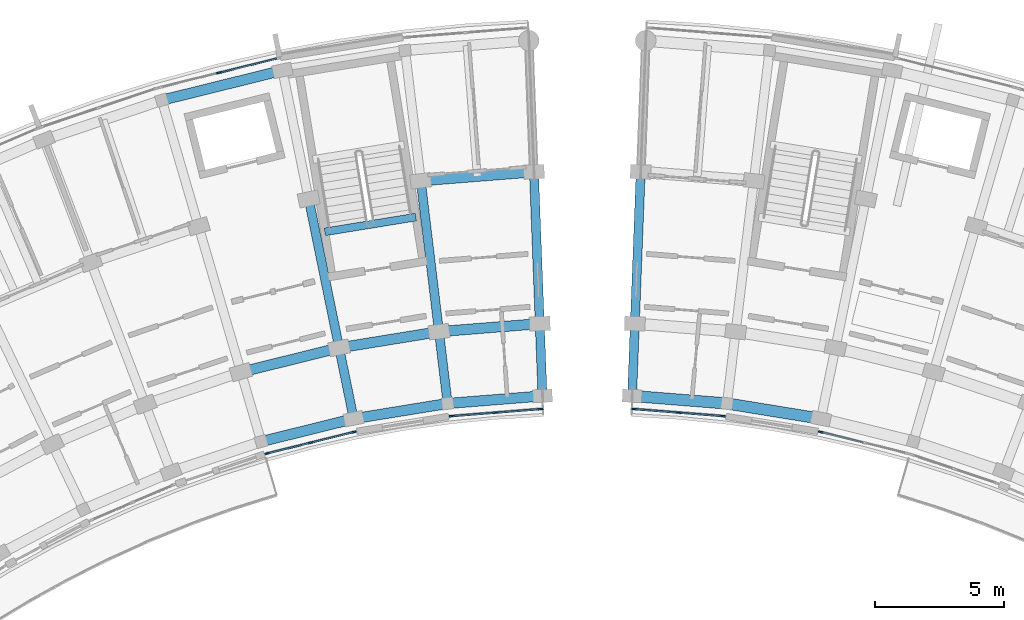
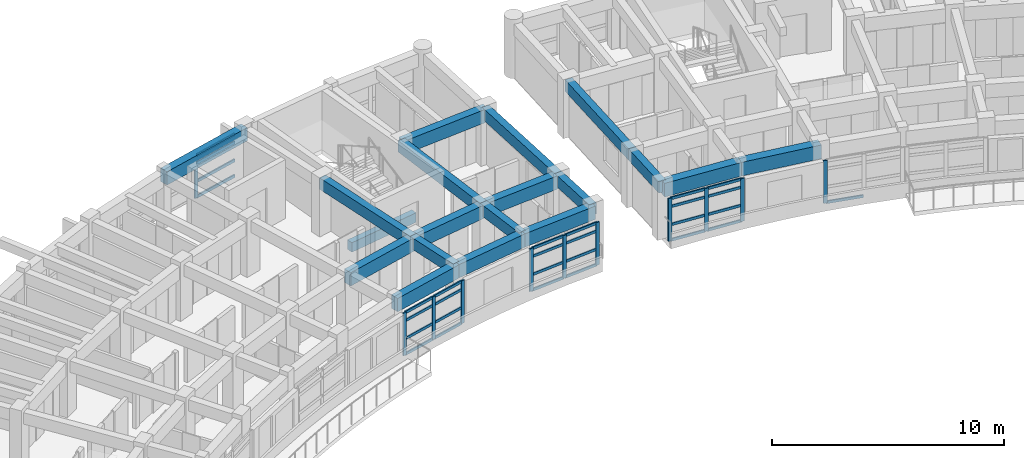
# One storey, part 6 of 56: 40 members, 19 beams, 5 elements without a shape of their own.
"""IFC4 building model written with IfcOpenShell, lengths in metres."""

import ifcopenshell
import ifcopenshell.guid

model = None  # the IFC model being written
_history = None  # IfcOwnerHistory: only IFC2X3 demands one
_inside = {}  # id of a spatial element -> (the spatial element, [elements in it])
_under = {}  # id of a project, library or spatial element -> (it, [spatial elements below it])
_declared = {}  # id of a project -> (the project, [libraries it declares])
_typed = {}  # id of a type object -> (the type object, [elements of that type])
_made_of = {}  # id of a material, layer set ... -> (it, [elements and type objects made of it])


def new_model(schema):
    """Start an empty IFC model of exactly this schema.

    Asked for "IFC4X3", IfcOpenShell would pick the latest addendum, in which some entities
    have other attributes; the version numbers below select the first issue.
    IFC2X3 requires an IfcOwnerHistory on every rooted entity: one is made here for all.
    """
    global model, _history
    if schema == "IFC4X3":
        model = ifcopenshell.file(schema_version=(4, 3, 0, 0))
    else:
        model = ifcopenshell.file(schema=schema)
    _inside.clear()
    _under.clear()
    _declared.clear()
    _typed.clear()
    _made_of.clear()
    _history = None
    if model.schema == "IFC2X3":
        org = make("IfcOrganization", Name="unknown")
        user = make(
            "IfcPersonAndOrganization",
            ThePerson=make("IfcPerson", FamilyName="unknown"),
            TheOrganization=org,
        )
        app = make(
            "IfcApplication",
            ApplicationDeveloper=org,
            Version="unknown",
            ApplicationFullName="unknown",
            ApplicationIdentifier="unknown",
        )
        _history = make(
            "IfcOwnerHistory",
            OwningUser=user,
            OwningApplication=app,
            ChangeAction="ADDED",
            CreationDate=0,
        )
    return model


def make(cls, **values):
    """One entity of the class cls with the attributes given. An attribute that is None is left unset."""
    return model.create_entity(
        cls, **{name: value for name, value in values.items() if value is not None}
    )


def rooted(cls, **values):
    """An entity with a GlobalId (a new one), such as an element, a storey or a relation."""
    return make(cls, GlobalId=ifcopenshell.guid.new(), OwnerHistory=_history, **values)


def si_unit(unit_type, name, prefix=None):
    """IfcSIUnit, for example si_unit("LENGTHUNIT", "METRE", prefix="MILLI")."""
    return make("IfcSIUnit", UnitType=unit_type, Prefix=prefix, Name=name)


def assignment(units):
    """IfcUnitAssignment: the units of a project."""
    return None if units is None else make("IfcUnitAssignment", Units=units)


def point(xyz):
    """IfcCartesianPoint."""
    return None if xyz is None else make("IfcCartesianPoint", Coordinates=xyz)


def direction(xyz):
    """IfcDirection."""
    return None if xyz is None else make("IfcDirection", DirectionRatios=xyz)


def frame(location, z_axis=None, x_axis=None):
    """IfcAxis2Placement3D, a coordinate frame: its origin and axes. An axis left out is left unset."""
    return make(
        "IfcAxis2Placement3D",
        Location=point(location),
        Axis=direction(z_axis),
        RefDirection=direction(x_axis),
    )


def frame_2d(location, x_axis=None):
    """IfcAxis2Placement2D, a coordinate frame in the plane: its origin and x axis."""
    return make(
        "IfcAxis2Placement2D", Location=point(location), RefDirection=direction(x_axis)
    )


def origin():
    """The frame at (0, 0, 0) with its axes left unset."""
    return frame((0.0, 0.0, 0.0))


def origin_2d():
    """The frame at (0, 0) in the plane with its x axis left unset."""
    return frame_2d((0.0, 0.0))


def place(relative_to, where):
    """IfcLocalPlacement: puts the frame where relative to a parent placement (None: the world)."""
    return make(
        "IfcLocalPlacement", PlacementRelTo=relative_to, RelativePlacement=where
    )


def context(
    kind, dimensions, precision=None, world=None, true_north=None, identifier=None
):
    """IfcGeometricRepresentationContext, for example the 3D "Model" context."""
    return make(
        "IfcGeometricRepresentationContext",
        ContextIdentifier=identifier,
        ContextType=kind,
        CoordinateSpaceDimension=dimensions,
        Precision=precision,
        WorldCoordinateSystem=world,
        TrueNorth=true_north,
    )


def subcontext(parent, identifier, kind, view, scale=None):
    """IfcGeometricRepresentationSubContext, for example "Body" below "Model"."""
    return make(
        "IfcGeometricRepresentationSubContext",
        ContextIdentifier=identifier,
        ContextType=kind,
        ParentContext=parent,
        TargetScale=scale,
        TargetView=view,
    )


def project(units=None, contexts=None):
    """IfcProject with its units and contexts."""
    return rooted(
        "IfcProject",
        Name="project",
        RepresentationContexts=contexts,
        UnitsInContext=assignment(units),
    )


def spatial(cls, under=None, at=None, **own):
    """A site, building, storey or space (cls), placed at a placement, below another one or the project."""
    s = rooted(cls, ObjectPlacement=at, **own)
    if under is not None:
        _under.setdefault(under.id(), (under, []))[1].append(s)
    return s


def profile(cls, at=None, kind="AREA", **sizes):
    """A parametric profile (cls). Its sizes go by their IFC names, for example OverallWidth=200.0."""
    return make(cls, ProfileType=kind, Position=at, **sizes)


def rectangle(**sizes):
    """IfcRectangleProfileDef."""
    return profile("IfcRectangleProfileDef", **sizes)


def extrude(swept, where, along, depth):
    """IfcExtrudedAreaSolid: the profile swept, set in the frame where, extruded along a direction by depth."""
    return make(
        "IfcExtrudedAreaSolid",
        SweptArea=swept,
        Position=where,
        ExtrudedDirection=direction(along),
        Depth=depth,
    )


def shape(context_of_items, identifier, shape_type, items):
    """IfcShapeRepresentation: the items that make up one representation, for example the "Body"."""
    return make(
        "IfcShapeRepresentation",
        ContextOfItems=context_of_items,
        RepresentationIdentifier=identifier,
        RepresentationType=shape_type,
        Items=items,
    )


def material(Name=None, Category=None):
    """IfcMaterial."""
    return make("IfcMaterial", Name=Name, Category=Category)


def material_profile(
    of_material, cross_section, Name=None, Category=None, Priority=None
):
    """IfcMaterialProfile: a cross section and its material."""
    return make(
        "IfcMaterialProfile",
        Name=Name,
        Material=of_material,
        Profile=cross_section,
        Priority=Priority,
        Category=Category,
    )


def profile_set(profiles, Name=None, composite=None):
    """IfcMaterialProfileSet."""
    return make(
        "IfcMaterialProfileSet",
        Name=Name,
        MaterialProfiles=profiles,
        CompositeProfile=composite,
    )


def made_of(thing, what):
    """Note that an element or type object is made of a material, layer set ...; save() writes the relation."""
    if what is not None:
        _made_of.setdefault(what.id(), (what, []))[1].append(thing)
    return thing


def type_object(cls, material=None, **own):
    """A type object (cls), such as IfcWallType, which elements share."""
    return made_of(rooted(cls, **own), material)


def element(
    cls,
    number,
    at=None,
    inside=None,
    cuts=None,
    type_object=None,
    material=None,
    context=None,
    identifier="Body",
    shape_type=None,
    held_by="IfcProductDefinitionShape",
    body=None,
    shapes=None,
    **own,
):
    """One element of the class cls, such as IfcWall. Its Tag is "e" and its number.

    at: its placement. inside: the storey or other place that contains it. cuts: it is an
    opening in that element (IfcRelVoidsElement). A single representation is given by context,
    identifier, shape_type and body (its items); several are given by shapes. held_by: the class
    of the entity that holds the representations. save() writes the other relations.
    """
    e = rooted(cls, Tag="e%d" % number, ObjectPlacement=at, **own)
    if body is not None:
        shapes = [shape(context, identifier, shape_type, body)]
    if shapes is not None:
        e.Representation = make(held_by, Representations=shapes)
    if inside is not None:
        _inside.setdefault(inside.id(), (inside, []))[1].append(e)
    if cuts is not None:
        rooted(
            "IfcRelVoidsElement", RelatingBuildingElement=cuts, RelatedOpeningElement=e
        )
    if type_object is not None:
        _typed.setdefault(type_object.id(), (type_object, []))[1].append(e)
    return made_of(e, material)


def aggregate(whole, parts):
    """IfcRelAggregates: a whole, such as a stair, and the parts it consists of."""
    return rooted("IfcRelAggregates", RelatingObject=whole, RelatedObjects=parts)


def save(model, path):
    """Write the relations noted so far, then the file.

    IfcRelAggregates (storeys below a building ...), IfcRelContainedInSpatialStructure (elements
    in a storey), IfcRelDefinesByType, IfcRelAssociatesMaterial and IfcRelDeclares: one each for
    every whole, place, type object, material and project.
    """
    for whole, parts in _under.values():
        aggregate(whole, parts)
    for where, things in _inside.values():
        rooted(
            "IfcRelContainedInSpatialStructure",
            RelatedElements=things,
            RelatingStructure=where,
        )
    for kind, things in _typed.values():
        rooted("IfcRelDefinesByType", RelatedObjects=things, RelatingType=kind)
    for what, things in _made_of.values():
        rooted("IfcRelAssociatesMaterial", RelatedObjects=things, RelatingMaterial=what)
    for by, libraries in _declared.values():
        rooted("IfcRelDeclares", RelatingContext=by, RelatedDefinitions=libraries)
    model.write(path)


model = new_model("IFC4")

# Units and contexts
model_context = context("Model", 3, precision=1e-05, world=origin(), true_north=direction((0.0, 1.0)))
body_context = subcontext(model_context, "Body", "Model", "MODEL_VIEW")
ifc_project = project(units=[si_unit("LENGTHUNIT", "METRE"), si_unit("AREAUNIT", "SQUARE_METRE"), si_unit("VOLUMEUNIT", "CUBIC_METRE"), si_unit("PLANEANGLEUNIT", "RADIAN"), si_unit("MASSUNIT", "GRAM", prefix="KILO")], contexts=[model_context])

# Site, building, storey
site_placement = place(None, origin())
site = spatial("IfcSite", under=ifc_project, at=site_placement, CompositionType="ELEMENT")
building_placement = place(site_placement, origin())
building = spatial("IfcBuilding", under=site, at=building_placement, Name="Zimvara Arc Housing Community", CompositionType="ELEMENT")
storey_placement = place(building_placement, frame((0.0, 0.0, 17.39990234375)))
storey = spatial("IfcBuildingStorey", under=building, at=storey_placement, Name="L05", CompositionType="ELEMENT", Elevation=17.39990234375)

# Beams
ifc_material_1 = material(Name="Concrete C40/50", Category="concrete")
ifc_material_profile_1 = material_profile(ifc_material_1, rectangle(XDim=0.300048828125, YDim=0.5, at=origin_2d()), Name="RC 300x500")
ifc_profile_set_1 = profile_set([ifc_material_profile_1], Name="Concrete C40/50")
beam_type_1 = type_object("IfcBeamType", Name="BM-RC-300x500", PredefinedType="BEAM", material=ifc_profile_set_1)
beam_1_placement = place(storey_placement, frame((38.3662109375, 96.509033203125, -0.25), z_axis=(-0.987080057935, -0.160227835371, 0.0), x_axis=(0.160227835371, -0.987080057935, 0.0)))
element("IfcBeam", 1, at=beam_1_placement, inside=storey, type_object=beam_type_1, Name="bm:stair_trim:ST-A2:L05:near", PredefinedType="BEAM", context=body_context, shape_type="SweptSolid", body=[
    extrude(rectangle(XDim=0.300048828125, YDim=0.5, at=origin_2d()), origin(), (0.0, 0.0, 1.0), 3.570068359375),
])
ifc_material_2 = material(Name="Concrete C40/50", Category="concrete")
ifc_material_profile_2 = material_profile(ifc_material_2, rectangle(XDim=0.35009765625, YDim=0.60009765625, at=origin_2d()), Name="RC 350x600")
ifc_profile_set_2 = profile_set([ifc_material_profile_2], Name="Concrete C40/50")
beam_type_2 = type_object("IfcBeamType", Name="BM-RC-350x600", PredefinedType="BEAM", material=ifc_profile_set_2)
beam_2_placement = place(storey_placement, frame((35.958251953125, 88.704833984375, 2.570068359375), z_axis=(-0.20037341071, 0.979719600845, 0.0), x_axis=(-0.979719600845, -0.20037341071, 0.0)))
element("IfcBeam", 2, at=beam_2_placement, inside=storey, type_object=beam_type_2, Name="bm:blkA:L05:rad:b8:r01", PredefinedType="BEAM", context=body_context, shape_type="SweptSolid", body=[
    extrude(rectangle(XDim=0.35009765625, YDim=0.60009765625, at=origin_2d()), origin(), (0.0, 0.0, 1.0), 2.800048828125),
])
beam_3_placement = place(storey_placement, frame((35.397216796875, 91.447998046875, 2.570068359375), z_axis=(-0.200417973989, 0.979710485655, 0.0), x_axis=(-0.979710485655, -0.200417973989, 0.0)))
element("IfcBeam", 3, at=beam_3_placement, inside=storey, type_object=beam_type_2, Name="bm:blkA:L05:rad:b8:r12", PredefinedType="BEAM", context=body_context, shape_type="SweptSolid", body=[
    extrude(rectangle(XDim=0.35009765625, YDim=0.60009765625, at=origin_2d()), origin(), (0.0, 0.0, 1.0), 5.880126953125),
])
beam_4_placement = place(storey_placement, frame((39.594970703125, 89.295166015625, 2.570068359375), z_axis=(-0.119719398078, 0.992807768767, 0.0), x_axis=(-0.992807768767, -0.119719398078, 0.0)))
element("IfcBeam", 4, at=beam_4_placement, inside=storey, type_object=beam_type_2, Name="bm:blkA:L05:rad:b9:r01", PredefinedType="BEAM", context=body_context, shape_type="SweptSolid", body=[
    extrude(rectangle(XDim=0.35009765625, YDim=0.60009765625, at=origin_2d()), origin(), (0.0, 0.0, 1.0), 2.7998046875),
])
beam_5_placement = place(storey_placement, frame((39.259765625, 92.074951171875, 2.570068359375), z_axis=(-0.119827921695, 0.992794676246, 0.0), x_axis=(-0.992794676246, -0.119827921695, 0.0)))
element("IfcBeam", 5, at=beam_5_placement, inside=storey, type_object=beam_type_2, Name="bm:blkA:L05:rad:b9:r12", PredefinedType="BEAM", context=body_context, shape_type="SweptSolid", body=[
    extrude(rectangle(XDim=0.35009765625, YDim=0.60009765625, at=origin_2d()), origin(), (0.0, 0.0, 1.0), 5.880126953125),
])
beam_6_placement = place(storey_placement, frame((43.267822265625, 89.586669921875, 2.570068359375), z_axis=(-0.038362804793, 0.999263876665, 0.0), x_axis=(-0.999263876665, -0.038362804793, 0.0)))
element("IfcBeam", 6, at=beam_6_placement, inside=storey, type_object=beam_type_2, Name="bm:blkA:L05:rad:b10:r01", PredefinedType="BEAM", context=body_context, shape_type="SweptSolid", body=[
    extrude(rectangle(XDim=0.35009765625, YDim=0.60009765625, at=origin_2d()), origin(), (0.0, 0.0, 1.0), 2.800048828125),
])
beam_7_placement = place(storey_placement, frame((43.160400390625, 92.384765625, 2.570068359375), z_axis=(-0.038366147405, 0.999263748333, 0.0), x_axis=(-0.999263748333, -0.038366147405, 0.0)))
element("IfcBeam", 7, at=beam_7_placement, inside=storey, type_object=beam_type_2, Name="bm:blkA:L05:rad:b10:r12", PredefinedType="BEAM", context=body_context, shape_type="SweptSolid", body=[
    extrude(rectangle(XDim=0.35009765625, YDim=0.60009765625, at=origin_2d()), origin(), (0.0, 0.0, 1.0), 5.8798828125),
])
beam_8_placement = place(storey_placement, frame((46.732177734375, 89.586669921875, 2.570068359375), z_axis=(0.038362804793, 0.999263876665, 0.0), x_axis=(-0.999263876665, 0.038362804793, 0.0)))
element("IfcBeam", 8, at=beam_8_placement, inside=storey, type_object=beam_type_2, Name="bm:blkB:L05:rad:b0:r01", PredefinedType="BEAM", context=body_context, shape_type="SweptSolid", body=[
    extrude(rectangle(XDim=0.35009765625, YDim=0.60009765625, at=origin_2d()), origin(), (0.0, 0.0, 1.0), 2.800048828125),
])
beam_9_placement = place(storey_placement, frame((46.839599609375, 92.384765625, 2.570068359375), z_axis=(0.038366147405, 0.999263748333, 0.0), x_axis=(-0.999263748333, 0.038366147405, 0.0)))
element("IfcBeam", 9, at=beam_9_placement, inside=storey, type_object=beam_type_2, Name="bm:blkB:L05:rad:b0:r12", PredefinedType="BEAM", context=body_context, shape_type="SweptSolid", body=[
    extrude(rectangle(XDim=0.35009765625, YDim=0.60009765625, at=origin_2d()), origin(), (0.0, 0.0, 1.0), 5.8798828125),
])
ifc_material_3 = material(Name="Concrete C40/50", Category="concrete")
ifc_material_profile_3 = material_profile(ifc_material_3, rectangle(XDim=0.39990234375, YDim=0.699951171875, at=origin_2d()), Name="RC 400x700")
ifc_profile_set_3 = profile_set([ifc_material_profile_3], Name="Concrete C40/50")
beam_type_3 = type_object("IfcBeamType", Name="BM-RC-400x700", PredefinedType="BEAM", material=ifc_profile_set_3)
beam_10_placement = place(storey_placement, frame((32.381591796875, 87.819580078125, 2.52001953125), z_axis=(0.970708886215, 0.240258731837, 0.0), x_axis=(-0.240258731837, 0.970708886215, 0.0)))
element("IfcBeam", 10, at=beam_10_placement, inside=storey, type_object=beam_type_3, Name="bm:blkA:L05:chord:r0:b7", PredefinedType="BEAM", context=body_context, shape_type="SweptSolid", body=[
    extrude(rectangle(XDim=0.39990234375, YDim=0.699951171875, at=origin_2d()), origin(), (0.0, 0.0, 1.0), 3.6845703125),
])
for number, where, z_axis, x_axis, name in (
    (11, (35.958251953125, 88.704833984375, 2.52001953125), (0.987079996944, 0.160228211104, 0.0), (-0.160228211104, 0.987079996944, 0.0), "bm:blkA:L05:chord:r0:b8"),
    (12, (39.594970703125, 89.295166015625, 2.52001953125), (0.996865226667, 0.079118391428, 0.0), (-0.079118391428, 0.996865226667, 0.0), "bm:blkA:L05:chord:r0:b9"),
):
    element("IfcBeam", number, at=place(storey_placement, frame(where, z_axis=z_axis, x_axis=x_axis)), inside=storey, type_object=beam_type_3, Name=name, PredefinedType="BEAM", context=body_context, shape_type="SweptSolid", body=[
        extrude(rectangle(XDim=0.39990234375, YDim=0.699951171875, at=origin_2d()), origin(), (0.0, 0.0, 1.0), 3.684326171875),
    ])
for number, where, z_axis, x_axis, name in (
    (13, (31.5986328125, 90.5078125, 2.52001953125), (0.970708671682, 0.240259598602, 0.0), (-0.240259598602, 0.970708671682, 0.0), "bm:blkA:L05:chord:r1:b7"),
    (14, (35.397216796875, 91.447998046875, 2.52001953125), (0.987081487371, 0.160219029111, 0.0), (-0.160219029111, 0.987081487371, 0.0), "bm:blkA:L05:chord:r1:b8"),
):
    element("IfcBeam", number, at=place(storey_placement, frame(where, z_axis=z_axis, x_axis=x_axis)), inside=storey, type_object=beam_type_3, Name=name, PredefinedType="BEAM", context=body_context, shape_type="SweptSolid", body=[
        extrude(rectangle(XDim=0.39990234375, YDim=0.699951171875, at=origin_2d()), origin(), (0.0, 0.0, 1.0), 3.9130859375),
    ])
beam_11_placement = place(storey_placement, frame((39.259765625, 92.074951171875, 2.52001953125), z_axis=(0.99686054795, 0.079177319606, 0.0), x_axis=(-0.079177319606, 0.99686054795, 0.0)))
element("IfcBeam", 15, at=beam_11_placement, inside=storey, type_object=beam_type_3, Name="bm:blkA:L05:chord:r1:b9", PredefinedType="BEAM", context=body_context, shape_type="SweptSolid", body=[
    extrude(rectangle(XDim=0.39990234375, YDim=0.699951171875, at=origin_2d()), origin(), (0.0, 0.0, 1.0), 3.912841796875),
])
beam_12_placement = place(storey_placement, frame((38.55517578125, 97.91259765625, 2.52001953125), z_axis=(0.996864209836, 0.079131202119, 0.0), x_axis=(-0.079131202119, 0.996864209836, 0.0)))
element("IfcBeam", 16, at=beam_12_placement, inside=storey, type_object=beam_type_3, Name="bm:blkA:L05:chord:r2:b9", PredefinedType="BEAM", context=body_context, shape_type="SweptSolid", body=[
    extrude(rectangle(XDim=0.39990234375, YDim=0.699951171875, at=origin_2d()), origin(), (0.0, 0.0, 1.0), 4.393310546875),
])
beam_13_placement = place(storey_placement, frame((28.533447265625, 101.030517578125, 2.52001953125), z_axis=(0.970716235341, 0.240229037474, 0.0), x_axis=(-0.240229037474, 0.970716235341, 0.0)))
element("IfcBeam", 17, at=beam_13_placement, inside=storey, type_object=beam_type_3, Name="bm:blkA:L05:chord:r3:b7", PredefinedType="BEAM", context=body_context, shape_type="SweptSolid", body=[
    extrude(rectangle(XDim=0.39990234375, YDim=0.699951171875, at=origin_2d()), origin(), (0.0, 0.0, 1.0), 4.80810546875),
])
ifc_material_4 = material(Name="Concrete C40/50", Category="concrete")
ifc_material_profile_4 = material_profile(ifc_material_4, rectangle(XDim=0.43994140625, YDim=0.719970703125, at=origin_2d()), Name="RC 440x720")
ifc_profile_set_4 = profile_set([ifc_material_profile_4], Name="Concrete C40/50")
beam_type_4 = type_object("IfcBeamType", Name="BM-RC-440x720", PredefinedType="BEAM", material=ifc_profile_set_4)
for number, where, z_axis, x_axis, name in (
    (18, (46.732177734375, 89.586669921875, 2.510009765625), (0.996865226667, -0.079118391428, 0.0), (0.079118391428, 0.996865226667, 0.0), "bm:blkB:L05:chord:r0:b0"),
    (19, (50.405029296875, 89.295166015625, 2.510009765625), (0.987079996944, -0.160228211104, 0.0), (0.160228211104, 0.987079996944, 0.0), "bm:blkB:L05:chord:r0:b1"),
):
    element("IfcBeam", number, at=place(storey_placement, frame(where, z_axis=z_axis, x_axis=x_axis)), inside=storey, type_object=beam_type_4, Name=name, PredefinedType="BEAM", context=body_context, shape_type="SweptSolid", body=[
        extrude(rectangle(XDim=0.43994140625, YDim=0.719970703125, at=origin_2d()), origin(), (0.0, 0.0, 1.0), 3.684326171875),
    ])

# Curtain wall, members
ifc_material_5 = material(Name="Anodised Aluminium AW-6063", Category="aluminium")
curtain_wall_type_1 = type_object("IfcCurtainWallType", Name="CW-SYS-06", PredefinedType="USERDEFINED", material=ifc_material_5)
curtain_wall_1_placement = place(storey_placement, origin())
curtain_wall_1 = element("IfcCurtainWall", 20, at=curtain_wall_1_placement, inside=storey, type_object=curtain_wall_type_1, Name="cw:blkA:L05:in:b7", ObjectType="CURTAIN WALL", PredefinedType="USERDEFINED")
ifc_material_6 = material(Name="Anodised Aluminium AW-6063", Category="aluminium")
ifc_material_profile_5 = material_profile(ifc_material_6, rectangle(XDim=0.06494140625, YDim=0.179931640625, at=origin_2d()), Name="ALU 65x180")
ifc_profile_set_5 = profile_set([ifc_material_profile_5], Name="Anodised Aluminium AW-6063")
member_type_1 = type_object("IfcMemberType", Name="CWM-65x150", PredefinedType="MULLION", material=ifc_profile_set_5)
member_1_placement = place(storey_placement, frame((32.611328125, 87.36181640625, 0.0), z_axis=(0.0, 0.0, 1.0), x_axis=(-0.240227815706, 0.970716537698, 0.0)))
member_1 = element("IfcMember", 21, at=member_1_placement, type_object=member_type_1, Name="CW06 mullion 1", PredefinedType="MULLION", context=body_context, shape_type="SweptSolid", body=[
    extrude(rectangle(XDim=0.06494140625, YDim=0.179931640625, at=origin_2d()), origin(), (0.0, 0.0, 1.0), 2.25),
])
member_2_placement = place(storey_placement, frame((34.2900390625, 87.77734375, 0.0), z_axis=(0.0, 0.0, 1.0), x_axis=(-0.240227815706, 0.970716537698, 0.0)))
member_2 = element("IfcMember", 22, at=member_2_placement, type_object=member_type_1, Name="CW06 mullion 2", PredefinedType="MULLION", context=body_context, shape_type="SweptSolid", body=[
    extrude(rectangle(XDim=0.06494140625, YDim=0.179931640625, at=origin_2d()), origin(), (0.0, 0.0, 1.0), 2.25),
])
member_3_placement = place(storey_placement, frame((35.96875, 88.192626953125, 0.0), z_axis=(0.0, 0.0, 1.0), x_axis=(-0.240227815706, 0.970716537698, 0.0)))
member_3 = element("IfcMember", 23, at=member_3_placement, type_object=member_type_1, Name="CW06 mullion 3", PredefinedType="MULLION", context=body_context, shape_type="SweptSolid", body=[
    extrude(rectangle(XDim=0.06494140625, YDim=0.179931640625, at=origin_2d()), origin(), (0.0, 0.0, 1.0), 2.25),
])

ifc_material_7 = material(Name="Anodised Aluminium AW-6063", Category="aluminium")
curtain_wall_type_2 = type_object("IfcCurtainWallType", Name="CW-SYS-08", PredefinedType="USERDEFINED", material=ifc_material_7)
curtain_wall_2_placement = place(storey_placement, origin())
curtain_wall_2 = element("IfcCurtainWall", 24, at=curtain_wall_2_placement, inside=storey, type_object=curtain_wall_type_2, Name="cw:blkA:L05:in:b9", ObjectType="CURTAIN WALL", PredefinedType="USERDEFINED")
member_4_placement = place(storey_placement, frame((39.7470703125, 88.805908203125, 0.0), z_axis=(0.0, 0.0, 1.0), x_axis=(-0.079154709897, 0.996862343506, 0.0)))
member_4 = element("IfcMember", 25, at=member_4_placement, type_object=member_type_1, Name="CW08 mullion 1", PredefinedType="MULLION", context=body_context, shape_type="SweptSolid", body=[
    extrude(rectangle(XDim=0.06494140625, YDim=0.179931640625, at=origin_2d()), origin(), (0.0, 0.0, 1.0), 2.25),
])
member_5_placement = place(storey_placement, frame((41.470947265625, 88.94287109375, 0.0), z_axis=(0.0, 0.0, 1.0), x_axis=(-0.079154709897, 0.996862343506, 0.0)))
member_5 = element("IfcMember", 26, at=member_5_placement, type_object=member_type_1, Name="CW08 mullion 2", PredefinedType="MULLION", context=body_context, shape_type="SweptSolid", body=[
    extrude(rectangle(XDim=0.06494140625, YDim=0.179931640625, at=origin_2d()), origin(), (0.0, 0.0, 1.0), 2.25),
])
member_6_placement = place(storey_placement, frame((43.19482421875, 89.079833984375, 0.0), z_axis=(0.0, 0.0, 1.0), x_axis=(-0.079154709897, 0.996862343506, 0.0)))
member_6 = element("IfcMember", 27, at=member_6_placement, type_object=member_type_1, Name="CW08 mullion 3", PredefinedType="MULLION", context=body_context, shape_type="SweptSolid", body=[
    extrude(rectangle(XDim=0.06494140625, YDim=0.179931640625, at=origin_2d()), origin(), (0.0, 0.0, 1.0), 2.25),
])

ifc_material_8 = material(Name="Anodised Aluminium AW-6063", Category="aluminium")
curtain_wall_type_3 = type_object("IfcCurtainWallType", Name="CW-SYS-04", PredefinedType="USERDEFINED", material=ifc_material_8)
curtain_wall_3_placement = place(storey_placement, origin())
curtain_wall_3 = element("IfcCurtainWall", 28, at=curtain_wall_3_placement, inside=storey, type_object=curtain_wall_type_3, Name="cw:blkB:L05:in:b0", ObjectType="CURTAIN WALL", PredefinedType="USERDEFINED")
member_7_placement = place(storey_placement, frame((46.80517578125, 89.079833984375, 0.0), z_axis=(0.0, 0.0, 1.0), x_axis=(0.079154709897, 0.996862343506, 0.0)))
member_7 = element("IfcMember", 29, at=member_7_placement, type_object=member_type_1, Name="CW04 mullion 1", PredefinedType="MULLION", context=body_context, shape_type="SweptSolid", body=[
    extrude(rectangle(XDim=0.06494140625, YDim=0.179931640625, at=origin_2d()), origin(), (0.0, 0.0, 1.0), 2.25),
])
member_8_placement = place(storey_placement, frame((48.529052734375, 88.94287109375, 0.0), z_axis=(0.0, 0.0, 1.0), x_axis=(0.079154709897, 0.996862343506, 0.0)))
member_8 = element("IfcMember", 30, at=member_8_placement, type_object=member_type_1, Name="CW04 mullion 2", PredefinedType="MULLION", context=body_context, shape_type="SweptSolid", body=[
    extrude(rectangle(XDim=0.06494140625, YDim=0.179931640625, at=origin_2d()), origin(), (0.0, 0.0, 1.0), 2.25),
])
member_9_placement = place(storey_placement, frame((50.2529296875, 88.805908203125, 0.0), z_axis=(0.0, 0.0, 1.0), x_axis=(0.079154709897, 0.996862343506, 0.0)))
member_9 = element("IfcMember", 31, at=member_9_placement, type_object=member_type_1, Name="CW04 mullion 3", PredefinedType="MULLION", context=body_context, shape_type="SweptSolid", body=[
    extrude(rectangle(XDim=0.06494140625, YDim=0.179931640625, at=origin_2d()), origin(), (0.0, 0.0, 1.0), 2.25),
])

# Curtain wall, member
curtain_wall_4_placement = place(storey_placement, origin())
curtain_wall_4 = element("IfcCurtainWall", 32, at=curtain_wall_4_placement, inside=storey, type_object=curtain_wall_type_1, Name="cw:blkB:L05:in:b2", ObjectType="CURTAIN WALL", PredefinedType="USERDEFINED")
member_10_placement = place(storey_placement, frame((54.03125, 88.192626953125, 0.0), z_axis=(0.0, 0.0, 1.0), x_axis=(0.240227815706, 0.970716537698, 0.0)))
member_10 = element("IfcMember", 33, at=member_10_placement, type_object=member_type_1, Name="CW06 mullion 1", PredefinedType="MULLION", context=body_context, shape_type="SweptSolid", body=[
    extrude(rectangle(XDim=0.06494140625, YDim=0.179931640625, at=origin_2d()), origin(), (0.0, 0.0, 1.0), 2.25),
])

ifc_material_9 = material(Name="Anodised Aluminium AW-6063", Category="aluminium")
curtain_wall_type_4 = type_object("IfcCurtainWallType", Name="CW-SYS-05", PredefinedType="USERDEFINED", material=ifc_material_9)
curtain_wall_5_placement = place(storey_placement, origin())
curtain_wall_5 = element("IfcCurtainWall", 34, at=curtain_wall_5_placement, inside=storey, type_object=curtain_wall_type_4, Name="cw:blkA:L05:out:b7", ObjectType="CURTAIN WALL", PredefinedType="USERDEFINED")
ifc_material_10 = material(Name="Anodised Aluminium AW-6063", Category="aluminium")
ifc_material_profile_6 = material_profile(ifc_material_10, rectangle(XDim=0.06494140625, YDim=0.195068359375, at=origin_2d()), Name="ALU 65x195")
ifc_profile_set_6 = profile_set([ifc_material_profile_6], Name="Anodised Aluminium AW-6063")
member_type_2 = type_object("IfcMemberType", Name="CWM-65x180", PredefinedType="MULLION", material=ifc_profile_set_6)
member_11_placement = place(storey_placement, frame((30.7470703125, 102.093017578125, 0.0), z_axis=(0.0, 0.0, 1.0), x_axis=(-0.240229711131, 0.970716068627, 0.0)))
member_11 = element("IfcMember", 35, at=member_11_placement, type_object=member_type_2, Name="CW05 mullion 2", PredefinedType="MULLION", context=body_context, shape_type="SweptSolid", body=[
    extrude(rectangle(XDim=0.06494140625, YDim=0.195068359375, at=origin_2d()), origin(), (0.0, 0.0, 1.0), 2.25),
])

# Member
ifc_material_11 = material(Name="Anodised Aluminium AW-6063", Category="aluminium")
ifc_material_profile_7 = material_profile(ifc_material_11, rectangle(XDim=0.06494140625, YDim=0.139892578125, at=origin_2d()), Name="ALU 65x140")
ifc_profile_set_7 = profile_set([ifc_material_profile_7], Name="Anodised Aluminium AW-6063")
member_type_3 = type_object("IfcMemberType", Name="CWT-65x120", PredefinedType="USERDEFINED", material=ifc_profile_set_7)
member_12_placement = place(storey_placement, frame((32.642822265625, 87.36962890625, 0.03271484375), z_axis=(0.970700809973, 0.24029135964, 0.0), x_axis=(-0.24029135964, 0.970700809973, 0.0)))
member_12 = element("IfcMember", 36, at=member_12_placement, type_object=member_type_3, Name="CW06 transom 1.1", ObjectType="TRANSOM", PredefinedType="USERDEFINED", context=body_context, shape_type="SweptSolid", body=[
    extrude(rectangle(XDim=0.06494140625, YDim=0.139892578125, at=origin_2d()), origin(), (0.0, 0.0, 1.0), 1.664306640625),
])

member_13_placement = place(storey_placement, frame((32.642822265625, 87.36962890625, 0.85009765625), z_axis=(0.970700809973, 0.24029135964, 0.0), x_axis=(-0.24029135964, 0.970700809973, 0.0)))
member_13 = element("IfcMember", 37, at=member_13_placement, type_object=member_type_3, Name="CW06 transom 1.2", ObjectType="TRANSOM", PredefinedType="USERDEFINED", context=body_context, shape_type="SweptSolid", body=[
    extrude(rectangle(XDim=0.06494140625, YDim=0.139892578125, at=origin_2d()), origin(), (0.0, 0.0, 1.0), 1.664306640625),
])

member_14_placement = place(storey_placement, frame((32.642822265625, 87.36962890625, 1.800048828125), z_axis=(0.970700809973, 0.24029135964, 0.0), x_axis=(-0.24029135964, 0.970700809973, 0.0)))
member_14 = element("IfcMember", 38, at=member_14_placement, type_object=member_type_3, Name="CW06 transom 1.3", ObjectType="TRANSOM", PredefinedType="USERDEFINED", context=body_context, shape_type="SweptSolid", body=[
    extrude(rectangle(XDim=0.06494140625, YDim=0.139892578125, at=origin_2d()), origin(), (0.0, 0.0, 1.0), 1.664306640625),
])

member_15_placement = place(storey_placement, frame((32.642822265625, 87.36962890625, 2.217529296875), z_axis=(0.970700809973, 0.24029135964, 0.0), x_axis=(-0.24029135964, 0.970700809973, 0.0)))
member_15 = element("IfcMember", 39, at=member_15_placement, type_object=member_type_3, Name="CW06 transom 1.4", ObjectType="TRANSOM", PredefinedType="USERDEFINED", context=body_context, shape_type="SweptSolid", body=[
    extrude(rectangle(XDim=0.06494140625, YDim=0.139892578125, at=origin_2d()), origin(), (0.0, 0.0, 1.0), 1.664306640625),
])

member_16_placement = place(storey_placement, frame((34.321533203125, 87.78515625, 0.03271484375), z_axis=(0.970735018799, 0.240153124645, 0.0), x_axis=(-0.240153124645, 0.970735018799, 0.0)))
member_16 = element("IfcMember", 40, at=member_16_placement, type_object=member_type_3, Name="CW06 transom 2.1", ObjectType="TRANSOM", PredefinedType="USERDEFINED", context=body_context, shape_type="SweptSolid", body=[
    extrude(rectangle(XDim=0.06494140625, YDim=0.139892578125, at=origin_2d()), origin(), (0.0, 0.0, 1.0), 1.6640625),
])

member_17_placement = place(storey_placement, frame((34.321533203125, 87.78515625, 0.85009765625), z_axis=(0.970735018799, 0.240153124645, 0.0), x_axis=(-0.240153124645, 0.970735018799, 0.0)))
member_17 = element("IfcMember", 41, at=member_17_placement, type_object=member_type_3, Name="CW06 transom 2.2", ObjectType="TRANSOM", PredefinedType="USERDEFINED", context=body_context, shape_type="SweptSolid", body=[
    extrude(rectangle(XDim=0.06494140625, YDim=0.139892578125, at=origin_2d()), origin(), (0.0, 0.0, 1.0), 1.6640625),
])

member_18_placement = place(storey_placement, frame((34.321533203125, 87.78515625, 1.800048828125), z_axis=(0.970735018799, 0.240153124645, 0.0), x_axis=(-0.240153124645, 0.970735018799, 0.0)))
member_18 = element("IfcMember", 42, at=member_18_placement, type_object=member_type_3, Name="CW06 transom 2.3", ObjectType="TRANSOM", PredefinedType="USERDEFINED", context=body_context, shape_type="SweptSolid", body=[
    extrude(rectangle(XDim=0.06494140625, YDim=0.139892578125, at=origin_2d()), origin(), (0.0, 0.0, 1.0), 1.6640625),
])

member_19_placement = place(storey_placement, frame((34.321533203125, 87.78515625, 2.217529296875), z_axis=(0.970735018799, 0.240153124645, 0.0), x_axis=(-0.240153124645, 0.970735018799, 0.0)))
member_19 = element("IfcMember", 43, at=member_19_placement, type_object=member_type_3, Name="CW06 transom 2.4", ObjectType="TRANSOM", PredefinedType="USERDEFINED", context=body_context, shape_type="SweptSolid", body=[
    extrude(rectangle(XDim=0.06494140625, YDim=0.139892578125, at=origin_2d()), origin(), (0.0, 0.0, 1.0), 1.6640625),
])

aggregate(curtain_wall_1, [member_1, member_2, member_3, member_12, member_13, member_14, member_15, member_16, member_17, member_18, member_19])

member_20_placement = place(storey_placement, frame((39.779541015625, 88.80859375, 0.03271484375), z_axis=(0.99685804311, 0.079208849806, 0.0), x_axis=(-0.079208849806, 0.99685804311, 0.0)))
member_20 = element("IfcMember", 44, at=member_20_placement, type_object=member_type_3, Name="CW08 transom 1.1", ObjectType="TRANSOM", PredefinedType="USERDEFINED", context=body_context, shape_type="SweptSolid", body=[
    extrude(rectangle(XDim=0.06494140625, YDim=0.139892578125, at=origin_2d()), origin(), (0.0, 0.0, 1.0), 1.664306640625),
])

member_21_placement = place(storey_placement, frame((39.779541015625, 88.80859375, 0.85009765625), z_axis=(0.99685804311, 0.079208849806, 0.0), x_axis=(-0.079208849806, 0.99685804311, 0.0)))
member_21 = element("IfcMember", 45, at=member_21_placement, type_object=member_type_3, Name="CW08 transom 1.2", ObjectType="TRANSOM", PredefinedType="USERDEFINED", context=body_context, shape_type="SweptSolid", body=[
    extrude(rectangle(XDim=0.06494140625, YDim=0.139892578125, at=origin_2d()), origin(), (0.0, 0.0, 1.0), 1.664306640625),
])

member_22_placement = place(storey_placement, frame((39.779541015625, 88.80859375, 1.800048828125), z_axis=(0.99685804311, 0.079208849806, 0.0), x_axis=(-0.079208849806, 0.99685804311, 0.0)))
member_22 = element("IfcMember", 46, at=member_22_placement, type_object=member_type_3, Name="CW08 transom 1.3", ObjectType="TRANSOM", PredefinedType="USERDEFINED", context=body_context, shape_type="SweptSolid", body=[
    extrude(rectangle(XDim=0.06494140625, YDim=0.139892578125, at=origin_2d()), origin(), (0.0, 0.0, 1.0), 1.664306640625),
])

member_23_placement = place(storey_placement, frame((39.779541015625, 88.80859375, 2.217529296875), z_axis=(0.99685804311, 0.079208849806, 0.0), x_axis=(-0.079208849806, 0.99685804311, 0.0)))
member_23 = element("IfcMember", 47, at=member_23_placement, type_object=member_type_3, Name="CW08 transom 1.4", ObjectType="TRANSOM", PredefinedType="USERDEFINED", context=body_context, shape_type="SweptSolid", body=[
    extrude(rectangle(XDim=0.06494140625, YDim=0.139892578125, at=origin_2d()), origin(), (0.0, 0.0, 1.0), 1.664306640625),
])

member_24_placement = place(storey_placement, frame((41.50341796875, 88.945556640625, 0.03271484375), z_axis=(0.996869614678, 0.079063084507, 0.0), x_axis=(-0.079063084507, 0.996869614678, 0.0)))
member_24 = element("IfcMember", 48, at=member_24_placement, type_object=member_type_3, Name="CW08 transom 2.1", ObjectType="TRANSOM", PredefinedType="USERDEFINED", context=body_context, shape_type="SweptSolid", body=[
    extrude(rectangle(XDim=0.06494140625, YDim=0.139892578125, at=origin_2d()), origin(), (0.0, 0.0, 1.0), 1.664306640625),
])

member_25_placement = place(storey_placement, frame((41.50341796875, 88.945556640625, 0.85009765625), z_axis=(0.996869614678, 0.079063084507, 0.0), x_axis=(-0.079063084507, 0.996869614678, 0.0)))
member_25 = element("IfcMember", 49, at=member_25_placement, type_object=member_type_3, Name="CW08 transom 2.2", ObjectType="TRANSOM", PredefinedType="USERDEFINED", context=body_context, shape_type="SweptSolid", body=[
    extrude(rectangle(XDim=0.06494140625, YDim=0.139892578125, at=origin_2d()), origin(), (0.0, 0.0, 1.0), 1.664306640625),
])

member_26_placement = place(storey_placement, frame((41.50341796875, 88.945556640625, 1.800048828125), z_axis=(0.996869614678, 0.079063084507, 0.0), x_axis=(-0.079063084507, 0.996869614678, 0.0)))
member_26 = element("IfcMember", 50, at=member_26_placement, type_object=member_type_3, Name="CW08 transom 2.3", ObjectType="TRANSOM", PredefinedType="USERDEFINED", context=body_context, shape_type="SweptSolid", body=[
    extrude(rectangle(XDim=0.06494140625, YDim=0.139892578125, at=origin_2d()), origin(), (0.0, 0.0, 1.0), 1.664306640625),
])

member_27_placement = place(storey_placement, frame((41.50341796875, 88.945556640625, 2.217529296875), z_axis=(0.996869614678, 0.079063084507, 0.0), x_axis=(-0.079063084507, 0.996869614678, 0.0)))
member_27 = element("IfcMember", 51, at=member_27_placement, type_object=member_type_3, Name="CW08 transom 2.4", ObjectType="TRANSOM", PredefinedType="USERDEFINED", context=body_context, shape_type="SweptSolid", body=[
    extrude(rectangle(XDim=0.06494140625, YDim=0.139892578125, at=origin_2d()), origin(), (0.0, 0.0, 1.0), 1.664306640625),
])

aggregate(curtain_wall_2, [member_4, member_5, member_6, member_20, member_21, member_22, member_23, member_24, member_25, member_26, member_27])

member_28_placement = place(storey_placement, frame((46.83740234375, 89.0771484375, 0.03271484375), z_axis=(0.996869614678, -0.079063084507, 0.0), x_axis=(0.079063084507, 0.996869614678, 0.0)))
member_28 = element("IfcMember", 52, at=member_28_placement, type_object=member_type_3, Name="CW04 transom 1.1", ObjectType="TRANSOM", PredefinedType="USERDEFINED", context=body_context, shape_type="SweptSolid", body=[
    extrude(rectangle(XDim=0.06494140625, YDim=0.139892578125, at=origin_2d()), origin(), (0.0, 0.0, 1.0), 1.664306640625),
])

member_29_placement = place(storey_placement, frame((46.83740234375, 89.0771484375, 0.85009765625), z_axis=(0.996869614678, -0.079063084507, 0.0), x_axis=(0.079063084507, 0.996869614678, 0.0)))
member_29 = element("IfcMember", 53, at=member_29_placement, type_object=member_type_3, Name="CW04 transom 1.2", ObjectType="TRANSOM", PredefinedType="USERDEFINED", context=body_context, shape_type="SweptSolid", body=[
    extrude(rectangle(XDim=0.06494140625, YDim=0.139892578125, at=origin_2d()), origin(), (0.0, 0.0, 1.0), 1.664306640625),
])

member_30_placement = place(storey_placement, frame((46.83740234375, 89.0771484375, 1.800048828125), z_axis=(0.996869614678, -0.079063084507, 0.0), x_axis=(0.079063084507, 0.996869614678, 0.0)))
member_30 = element("IfcMember", 54, at=member_30_placement, type_object=member_type_3, Name="CW04 transom 1.3", ObjectType="TRANSOM", PredefinedType="USERDEFINED", context=body_context, shape_type="SweptSolid", body=[
    extrude(rectangle(XDim=0.06494140625, YDim=0.139892578125, at=origin_2d()), origin(), (0.0, 0.0, 1.0), 1.664306640625),
])

member_31_placement = place(storey_placement, frame((46.83740234375, 89.0771484375, 2.217529296875), z_axis=(0.996869614678, -0.079063084507, 0.0), x_axis=(0.079063084507, 0.996869614678, 0.0)))
member_31 = element("IfcMember", 55, at=member_31_placement, type_object=member_type_3, Name="CW04 transom 1.4", ObjectType="TRANSOM", PredefinedType="USERDEFINED", context=body_context, shape_type="SweptSolid", body=[
    extrude(rectangle(XDim=0.06494140625, YDim=0.139892578125, at=origin_2d()), origin(), (0.0, 0.0, 1.0), 1.664306640625),
])

member_32_placement = place(storey_placement, frame((48.561279296875, 88.9404296875, 0.03271484375), z_axis=(0.99685804311, -0.079208849806, 0.0), x_axis=(0.079208849806, 0.99685804311, 0.0)))
member_32 = element("IfcMember", 56, at=member_32_placement, type_object=member_type_3, Name="CW04 transom 2.1", ObjectType="TRANSOM", PredefinedType="USERDEFINED", context=body_context, shape_type="SweptSolid", body=[
    extrude(rectangle(XDim=0.06494140625, YDim=0.139892578125, at=origin_2d()), origin(), (0.0, 0.0, 1.0), 1.664306640625),
])

member_33_placement = place(storey_placement, frame((48.561279296875, 88.9404296875, 0.85009765625), z_axis=(0.99685804311, -0.079208849806, 0.0), x_axis=(0.079208849806, 0.99685804311, 0.0)))
member_33 = element("IfcMember", 57, at=member_33_placement, type_object=member_type_3, Name="CW04 transom 2.2", ObjectType="TRANSOM", PredefinedType="USERDEFINED", context=body_context, shape_type="SweptSolid", body=[
    extrude(rectangle(XDim=0.06494140625, YDim=0.139892578125, at=origin_2d()), origin(), (0.0, 0.0, 1.0), 1.664306640625),
])

member_34_placement = place(storey_placement, frame((48.561279296875, 88.9404296875, 1.800048828125), z_axis=(0.99685804311, -0.079208849806, 0.0), x_axis=(0.079208849806, 0.99685804311, 0.0)))
member_34 = element("IfcMember", 58, at=member_34_placement, type_object=member_type_3, Name="CW04 transom 2.3", ObjectType="TRANSOM", PredefinedType="USERDEFINED", context=body_context, shape_type="SweptSolid", body=[
    extrude(rectangle(XDim=0.06494140625, YDim=0.139892578125, at=origin_2d()), origin(), (0.0, 0.0, 1.0), 1.664306640625),
])

member_35_placement = place(storey_placement, frame((48.561279296875, 88.9404296875, 2.217529296875), z_axis=(0.99685804311, -0.079208849806, 0.0), x_axis=(0.079208849806, 0.99685804311, 0.0)))
member_35 = element("IfcMember", 59, at=member_35_placement, type_object=member_type_3, Name="CW04 transom 2.4", ObjectType="TRANSOM", PredefinedType="USERDEFINED", context=body_context, shape_type="SweptSolid", body=[
    extrude(rectangle(XDim=0.06494140625, YDim=0.139892578125, at=origin_2d()), origin(), (0.0, 0.0, 1.0), 1.664306640625),
])

aggregate(curtain_wall_3, [member_7, member_8, member_9, member_28, member_29, member_30, member_31, member_32, member_33, member_34, member_35])

member_36_placement = place(storey_placement, frame((54.06298828125, 88.184814453125, 0.03271484375), z_axis=(0.970735018799, -0.240153124645, 0.0), x_axis=(0.240153124645, 0.970735018799, 0.0)))
member_36 = element("IfcMember", 60, at=member_36_placement, type_object=member_type_3, Name="CW06 transom 1.1", ObjectType="TRANSOM", PredefinedType="USERDEFINED", context=body_context, shape_type="SweptSolid", body=[
    extrude(rectangle(XDim=0.06494140625, YDim=0.139892578125, at=origin_2d()), origin(), (0.0, 0.0, 1.0), 1.6640625),
])

aggregate(curtain_wall_4, [member_10, member_36])

ifc_material_12 = material(Name="Anodised Aluminium AW-6063", Category="aluminium")
ifc_material_profile_8 = material_profile(ifc_material_12, rectangle(XDim=0.06494140625, YDim=0.155029296875, at=origin_2d()), Name="ALU 65x155")
ifc_profile_set_8 = profile_set([ifc_material_profile_8], Name="Anodised Aluminium AW-6063")
member_type_4 = type_object("IfcMemberType", Name="CWT-65x140", PredefinedType="USERDEFINED", material=ifc_profile_set_8)
member_37_placement = place(storey_placement, frame((30.77880859375, 102.100830078125, 0.03271484375), z_axis=(0.970703721793, 0.240279596507, 0.0), x_axis=(-0.240279596507, 0.970703721793, 0.0)))
member_37 = element("IfcMember", 61, at=member_37_placement, type_object=member_type_4, Name="CW05 transom 2.1", ObjectType="TRANSOM", PredefinedType="USERDEFINED", context=body_context, shape_type="SweptSolid", body=[
    extrude(rectangle(XDim=0.06494140625, YDim=0.155029296875, at=origin_2d()), origin(), (0.0, 0.0, 1.0), 2.266845703125),
])

member_38_placement = place(storey_placement, frame((30.77880859375, 102.100830078125, 0.85009765625), z_axis=(0.970703721793, 0.240279596507, 0.0), x_axis=(-0.240279596507, 0.970703721793, 0.0)))
member_38 = element("IfcMember", 62, at=member_38_placement, type_object=member_type_4, Name="CW05 transom 2.2", ObjectType="TRANSOM", PredefinedType="USERDEFINED", context=body_context, shape_type="SweptSolid", body=[
    extrude(rectangle(XDim=0.06494140625, YDim=0.155029296875, at=origin_2d()), origin(), (0.0, 0.0, 1.0), 2.266845703125),
])

member_39_placement = place(storey_placement, frame((30.77880859375, 102.100830078125, 1.800048828125), z_axis=(0.970703721793, 0.240279596507, 0.0), x_axis=(-0.240279596507, 0.970703721793, 0.0)))
member_39 = element("IfcMember", 63, at=member_39_placement, type_object=member_type_4, Name="CW05 transom 2.3", ObjectType="TRANSOM", PredefinedType="USERDEFINED", context=body_context, shape_type="SweptSolid", body=[
    extrude(rectangle(XDim=0.06494140625, YDim=0.155029296875, at=origin_2d()), origin(), (0.0, 0.0, 1.0), 2.266845703125),
])

member_40_placement = place(storey_placement, frame((30.77880859375, 102.100830078125, 2.217529296875), z_axis=(0.970703721793, 0.240279596507, 0.0), x_axis=(-0.240279596507, 0.970703721793, 0.0)))
member_40 = element("IfcMember", 64, at=member_40_placement, type_object=member_type_4, Name="CW05 transom 2.4", ObjectType="TRANSOM", PredefinedType="USERDEFINED", context=body_context, shape_type="SweptSolid", body=[
    extrude(rectangle(XDim=0.06494140625, YDim=0.155029296875, at=origin_2d()), origin(), (0.0, 0.0, 1.0), 2.266845703125),
])

aggregate(curtain_wall_5, [member_11, member_37, member_38, member_39, member_40])

save(model, "model.ifc")
